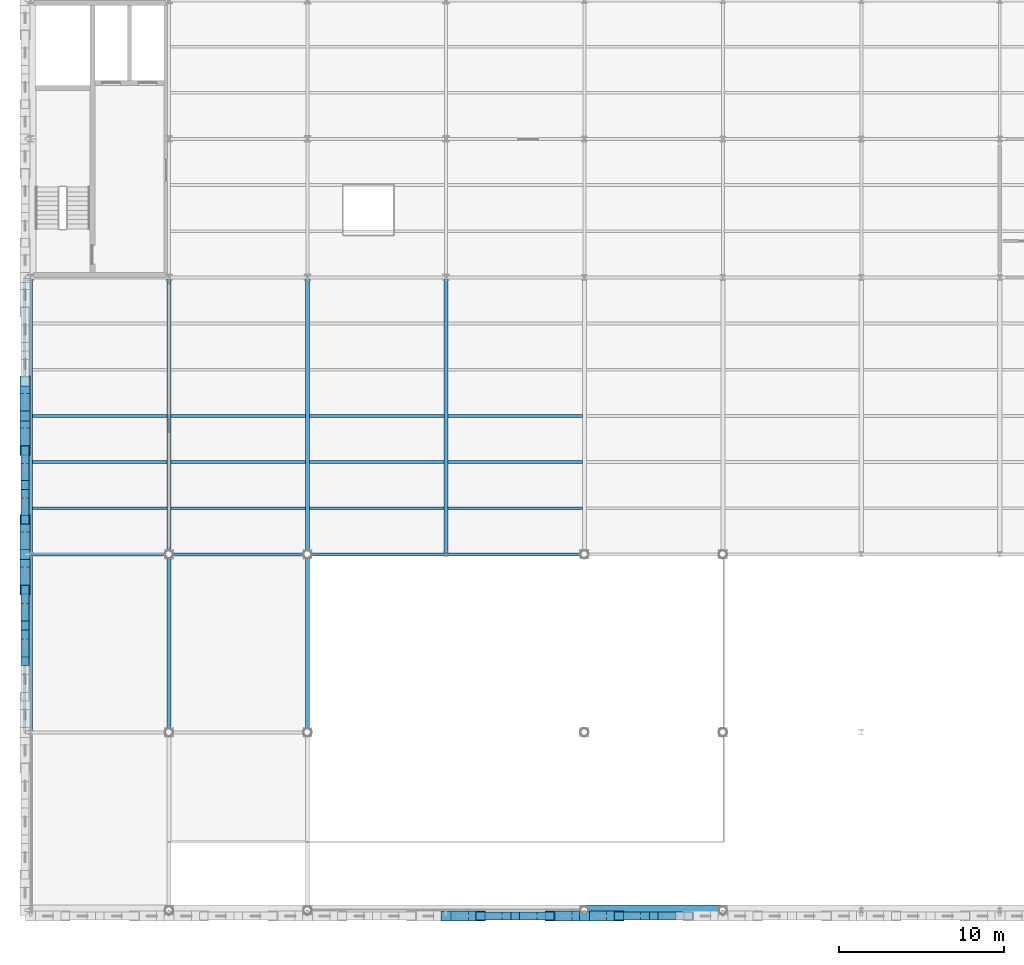
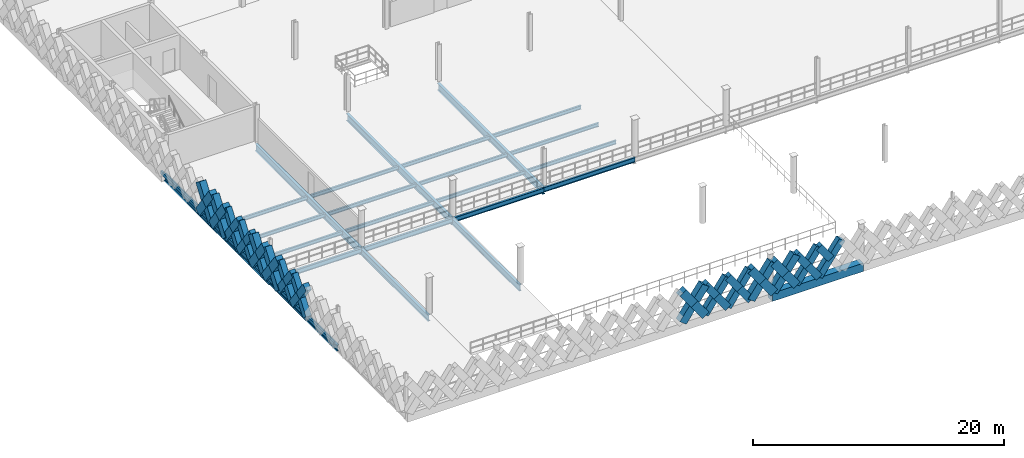
# One storey, part 14 of 47: 46 members, 24 beams.
"""IFC4 building model written with IfcOpenShell, lengths in metres."""

from ifc_helpers import new_model, si_unit, direction, frame, origin, origin_2d, place, context, subcontext, project, spatial, rectangle, hollow_rectangle, i_section, extrude, material, material_profile, profile_set, type_object, element, save


model = new_model("IFC4")

# Units and contexts
model_context = context("Model", 3, precision=1e-05, world=origin(), true_north=direction((0.0, 1.0)))
body_context = subcontext(model_context, "Body", "Model", "MODEL_VIEW")
ifc_project = project(units=[si_unit("LENGTHUNIT", "METRE"), si_unit("AREAUNIT", "SQUARE_METRE"), si_unit("VOLUMEUNIT", "CUBIC_METRE"), si_unit("PLANEANGLEUNIT", "RADIAN"), si_unit("MASSUNIT", "GRAM", prefix="KILO"), si_unit("THERMODYNAMICTEMPERATUREUNIT", "KELVIN"), si_unit("POWERUNIT", "WATT")], contexts=[model_context])

# Site, building, storey
site_placement = place(None, origin())
site = spatial("IfcSite", under=ifc_project, at=site_placement, CompositionType="ELEMENT")
building_placement = place(site_placement, origin())
building = spatial("IfcBuilding", under=site, at=building_placement, Name="Tembeka Court Mobility Hub", CompositionType="ELEMENT")
storey_placement = place(building_placement, frame((0.0, 0.0, 19.800048828125)))
storey = spatial("IfcBuildingStorey", under=building, at=storey_placement, Name="L05", CompositionType="ELEMENT", Elevation=19.800048828125)

# Beams
ifc_material_1 = material(Name="Steel S355", Category="steel")
ifc_material_profile_1 = material_profile(ifc_material_1, i_section(OverallWidth=0.18994140625, OverallDepth=0.45703125, WebThickness=0.009033203125, FlangeThickness=0.014404296875, FilletRadius=0.01025390625, at=origin_2d()), Name="UKB 457x191x74")
ifc_profile_set_1 = profile_set([ifc_material_profile_1], Name="Steel S355")
beam_type_1 = type_object("IfcBeamType", Name="BM-B01", PredefinedType="BEAM", material=ifc_profile_set_1)
beam_1_placement = place(storey_placement, frame((0.0, 21.60009765625, -0.478515625), z_axis=(1.0, 0.0, 0.0), x_axis=(0.0, 1.0, 0.0)))
element("IfcBeam", 1, at=beam_1_placement, inside=storey, type_object=beam_type_1, Name="Beam B01 (BM-L05-X2677)", PredefinedType="BEAM", context=body_context, shape_type="SweptSolid", body=[
    extrude(i_section(OverallWidth=0.18994140625, OverallDepth=0.45703125, WebThickness=0.009033203125, FlangeThickness=0.014404296875, FilletRadius=0.01025390625, at=origin_2d()), origin(), (0.0, 0.0, 1.0), 8.39990234375),
])
beam_2_placement = place(storey_placement, frame((8.39990234375, 21.60009765625, -0.478515625), z_axis=(1.0, 0.0, 0.0), x_axis=(0.0, 1.0, 0.0)))
element("IfcBeam", 2, at=beam_2_placement, inside=storey, type_object=beam_type_1, Name="Beam B01 (BM-L05-X2678)", PredefinedType="BEAM", context=body_context, shape_type="SweptSolid", body=[
    extrude(i_section(OverallWidth=0.18994140625, OverallDepth=0.45703125, WebThickness=0.009033203125, FlangeThickness=0.014404296875, FilletRadius=0.01025390625, at=origin_2d()), origin(), (0.0, 0.0, 1.0), 8.400146484375),
])
beam_3_placement = place(storey_placement, frame((16.800048828125, 21.60009765625, -0.478515625), z_axis=(1.0, 0.0, 0.0), x_axis=(0.0, 1.0, 0.0)))
element("IfcBeam", 3, at=beam_3_placement, inside=storey, type_object=beam_type_1, Name="Beam B01 (BM-L05-X2679)", PredefinedType="BEAM", context=body_context, shape_type="SweptSolid", body=[
    extrude(i_section(OverallWidth=0.18994140625, OverallDepth=0.45703125, WebThickness=0.009033203125, FlangeThickness=0.014404296875, FilletRadius=0.01025390625, at=origin_2d()), origin(), (0.0, 0.0, 1.0), 8.39990234375),
])
beam_4_placement = place(storey_placement, frame((25.199951171875, 21.60009765625, -0.448486328125), z_axis=(1.0, 0.0, 0.0), x_axis=(0.0, 1.0, 0.0)))
element("IfcBeam", 4, at=beam_4_placement, inside=storey, type_object=beam_type_1, Name="Beam B01 (BM-L05-X2680)", PredefinedType="BEAM", context=body_context, shape_type="SweptSolid", body=[
    extrude(i_section(OverallWidth=0.18994140625, OverallDepth=0.45703125, WebThickness=0.009033203125, FlangeThickness=0.014404296875, FilletRadius=0.01025390625, at=origin_2d()), origin(), (0.0, 0.0, 1.0), 8.400146484375),
])
ifc_material_profile_2 = material_profile(ifc_material_1, i_section(OverallWidth=0.25390625, OverallDepth=0.68408203125, WebThickness=0.012451171875, FlangeThickness=0.01904296875, FilletRadius=0.01513671875, at=origin_2d()), Name="UKB 686x254x140")
ifc_profile_set_2 = profile_set([ifc_material_profile_2], Name="Steel S355")
beam_type_2 = type_object("IfcBeamType", Name="BM-G01", PredefinedType="USERDEFINED", material=ifc_profile_set_2)
for number, where, z_axis, x_axis, name in (
    (5, (0.0, 21.60009765625, -0.56201171875), (0.0, 1.0, 0.0), (-1.0, 0.0, 0.0), "Beam G01 (BM-L05-Y2778)"),
    (6, (8.39990234375, 21.60009765625, -0.592041015625), (0.0, 1.0, 0.0), (-1.0, 0.0, 0.0), "Beam G01 (BM-L05-Y2789)"),
    (7, (16.800048828125, 21.60009765625, -0.592041015625), (0.0, 1.0, 0.0), (-1.0, 0.0, 0.0), "Beam G01 (BM-L05-Y2800)"),
    (8, (25.199951171875, 21.60009765625, -0.56201171875), (0.0, 1.0, 0.0), (-1.0, 0.0, 0.0), "Beam G01 (BM-L05-Y2809)"),
):
    element("IfcBeam", number, at=place(storey_placement, frame(where, z_axis=z_axis, x_axis=x_axis)), inside=storey, type_object=beam_type_2, Name=name, ObjectType="GIRDER", PredefinedType="USERDEFINED", context=body_context, shape_type="SweptSolid", body=[
        extrude(i_section(OverallWidth=0.25390625, OverallDepth=0.68408203125, WebThickness=0.012451171875, FlangeThickness=0.01904296875, FilletRadius=0.01513671875, at=origin_2d()), origin(), (0.0, 0.0, 1.0), 16.7998046875),
    ])
ifc_material_profile_3 = material_profile(ifc_material_1, i_section(OverallWidth=0.22900390625, OverallDepth=0.612060546875, WebThickness=0.011962890625, FlangeThickness=0.01953125, FilletRadius=0.0126953125, at=origin_2d()), Name="UKB 610x229x125")
ifc_profile_set_3 = profile_set([ifc_material_profile_3], Name="Steel S355")
beam_type_3 = type_object("IfcBeamType", Name="BM-G02", PredefinedType="USERDEFINED", material=ifc_profile_set_3)
for number, where, z_axis, x_axis, name in (
    (9, (0.0, 10.800048828125, -0.526123046875), (0.0, 1.0, 0.0), (-1.0, 0.0, 0.0), "Beam G02 (BM-L05-Y2777)"),
    (10, (8.39990234375, 10.800048828125, -0.55615234375), (0.0, 1.0, 0.0), (-1.0, 0.0, 0.0), "Beam G02 (BM-L05-Y2788)"),
    (11, (16.800048828125, 10.800048828125, -0.55615234375), (0.0, 1.0, 0.0), (-1.0, 0.0, 0.0), "Beam G02 (BM-L05-Y2799)"),
):
    element("IfcBeam", number, at=place(storey_placement, frame(where, z_axis=z_axis, x_axis=x_axis)), inside=storey, type_object=beam_type_3, Name=name, ObjectType="GIRDER", PredefinedType="USERDEFINED", context=body_context, shape_type="SweptSolid", body=[
        extrude(i_section(OverallWidth=0.22900390625, OverallDepth=0.612060546875, WebThickness=0.011962890625, FlangeThickness=0.01953125, FilletRadius=0.0126953125, at=origin_2d()), origin(), (0.0, 0.0, 1.0), 10.800048828125),
    ])
ifc_material_profile_4 = material_profile(ifc_material_1, i_section(OverallWidth=0.172119140625, OverallDepth=0.35498046875, WebThickness=0.00732421875, FlangeThickness=0.011474609375, FilletRadius=0.01025390625, at=origin_2d()), Name="UKB 356x171x51")
ifc_profile_set_4 = profile_set([ifc_material_profile_4], Name="Steel S355")
beam_type_4 = type_object("IfcBeamType", Name="BM-J01", PredefinedType="JOIST", material=ifc_profile_set_4)
for number, where, z_axis, x_axis, name in (
    (12, (0.1220703125, 24.39990234375, -0.3974609375), (1.0, 0.0, 0.0), (0.0, 1.0, 0.0), "Beam J01 (JST-L05-2881)"),
    (13, (0.1220703125, 27.199951171875, -0.3974609375), (1.0, 0.0, 0.0), (0.0, 1.0, 0.0), "Beam J01 (JST-L05-2882)"),
    (14, (0.1220703125, 30.0, -0.3974609375), (1.0, 0.0, 0.0), (0.0, 1.0, 0.0), "Beam J01 (JST-L05-2883)"),
    (15, (8.52197265625, 24.39990234375, -0.3974609375), (1.0, 0.0, 0.0), (0.0, 1.0, 0.0), "Beam J01 (JST-L05-2893)"),
    (16, (8.52197265625, 27.199951171875, -0.3974609375), (1.0, 0.0, 0.0), (0.0, 1.0, 0.0), "Beam J01 (JST-L05-2894)"),
    (17, (8.52197265625, 30.0, -0.3974609375), (1.0, 0.0, 0.0), (0.0, 1.0, 0.0), "Beam J01 (JST-L05-2895)"),
):
    element("IfcBeam", number, at=place(storey_placement, frame(where, z_axis=z_axis, x_axis=x_axis)), inside=storey, type_object=beam_type_4, Name=name, PredefinedType="JOIST", context=body_context, shape_type="SweptSolid", body=[
        extrude(i_section(OverallWidth=0.172119140625, OverallDepth=0.35498046875, WebThickness=0.00732421875, FlangeThickness=0.011474609375, FilletRadius=0.01025390625, at=origin_2d()), origin(), (0.0, 0.0, 1.0), 8.156005859375),
    ])
for number, where, z_axis, x_axis, name in (
    (18, (16.922119140625, 24.39990234375, -0.3974609375), (1.0, 0.0, 0.0), (0.0, 1.0, 0.0), "Beam J01 (JST-L05-2913)"),
    (19, (16.922119140625, 27.199951171875, -0.3974609375), (1.0, 0.0, 0.0), (0.0, 1.0, 0.0), "Beam J01 (JST-L05-2914)"),
    (20, (16.922119140625, 30.0, -0.3974609375), (1.0, 0.0, 0.0), (0.0, 1.0, 0.0), "Beam J01 (JST-L05-2915)"),
):
    element("IfcBeam", number, at=place(storey_placement, frame(where, z_axis=z_axis, x_axis=x_axis)), inside=storey, type_object=beam_type_4, Name=name, PredefinedType="JOIST", context=body_context, shape_type="SweptSolid", body=[
        extrude(i_section(OverallWidth=0.172119140625, OverallDepth=0.35498046875, WebThickness=0.00732421875, FlangeThickness=0.011474609375, FilletRadius=0.01025390625, at=origin_2d()), origin(), (0.0, 0.0, 1.0), 8.15576171875),
    ])
for number, where, z_axis, x_axis, name in (
    (21, (25.322021484375, 24.39990234375, -0.3974609375), (1.0, 0.0, 0.0), (0.0, 1.0, 0.0), "Beam J01 (JST-L05-2933)"),
    (22, (25.322021484375, 27.199951171875, -0.3974609375), (1.0, 0.0, 0.0), (0.0, 1.0, 0.0), "Beam J01 (JST-L05-2934)"),
    (23, (25.322021484375, 30.0, -0.3974609375), (1.0, 0.0, 0.0), (0.0, 1.0, 0.0), "Beam J01 (JST-L05-2935)"),
):
    element("IfcBeam", number, at=place(storey_placement, frame(where, z_axis=z_axis, x_axis=x_axis)), inside=storey, type_object=beam_type_4, Name=name, PredefinedType="JOIST", context=body_context, shape_type="SweptSolid", body=[
        extrude(i_section(OverallWidth=0.172119140625, OverallDepth=0.35498046875, WebThickness=0.00732421875, FlangeThickness=0.011474609375, FilletRadius=0.01025390625, at=origin_2d()), origin(), (0.0, 0.0, 1.0), 8.156005859375),
    ])
ifc_material_2 = material(Name="Precast concrete C45/55", Category="concrete")
ifc_material_profile_5 = material_profile(ifc_material_2, rectangle(XDim=0.64990234375, YDim=0.800048828125, at=origin_2d()), Name="PC-SP 650x800")
ifc_profile_set_5 = profile_set([ifc_material_profile_5], Name="Precast concrete C45/55")
beam_type_5 = type_object("IfcBeamType", Name="BM-SP01", PredefinedType="SPANDREL", material=ifc_profile_set_5)
beam_5_placement = place(storey_placement, frame((33.60009765625, 0.0, -0.6201171875), z_axis=(1.0, 0.0, 0.0), x_axis=(0.0, 1.0, 0.0)))
element("IfcBeam", 24, at=beam_5_placement, inside=storey, type_object=beam_type_5, Name="Beam SP01 (BM-L05-X2662)", PredefinedType="SPANDREL", context=body_context, shape_type="SweptSolid", body=[
    extrude(rectangle(XDim=0.64990234375, YDim=0.800048828125, at=origin_2d()), origin(), (0.0, 0.0, 1.0), 8.39990234375),
])

# Members
ifc_material_profile_6 = material_profile(ifc_material_2, rectangle(XDim=0.5, YDim=0.64990234375, at=origin_2d()), Name="PC-DIAG 500x650")
ifc_profile_set_6 = profile_set([ifc_material_profile_6], Name="Precast concrete C45/55")
member_type_1 = type_object("IfcMemberType", Name="MEM-DL01", PredefinedType="BRACE", material=ifc_profile_set_6)
member_1_placement = place(storey_placement, frame((27.300048828125, -0.340087890625, 0.02001953125), z_axis=(0.58253161945, 0.0, 0.812808041509), x_axis=(0.0, 1.0, 0.0)))
element("IfcMember", 25, at=member_1_placement, inside=storey, type_object=member_type_1, Name="Precast diamond lattice continuous strand DL01 (L05-802A)", PredefinedType="BRACE", context=body_context, shape_type="SweptSolid", body=[
    extrude(rectangle(XDim=0.5, YDim=0.64990234375, at=origin_2d()), origin(), (0.0, 0.0, 1.0), 3.604736328125),
])
member_2_placement = place(storey_placement, frame((29.39990234375, -0.340087890625, 0.02001953125), z_axis=(-0.582518941428, 0.0, 0.812817127574), x_axis=(0.0, -1.0, 0.0)))
element("IfcMember", 26, at=member_2_placement, inside=storey, type_object=member_type_1, Name="Precast diamond lattice split lower strand DL01 (L05-802B1)", PredefinedType="BRACE", context=body_context, shape_type="SweptSolid", body=[
    extrude(rectangle(XDim=0.5, YDim=0.64990234375, at=origin_2d()), origin(), (0.0, 0.0, 1.0), 1.80224609375),
])
member_3_placement = place(storey_placement, frame((28.35009765625, -0.340087890625, 1.48486328125), z_axis=(-0.582544294934, 0.0, 0.812798956963), x_axis=(0.0, -1.0, 0.0)))
element("IfcMember", 27, at=member_3_placement, inside=storey, type_object=member_type_1, Name="Precast diamond lattice split upper strand DL01 (L05-802B2)", PredefinedType="BRACE", context=body_context, shape_type="SweptSolid", body=[
    extrude(rectangle(XDim=0.5, YDim=0.64990234375, at=origin_2d()), origin(), (0.0, 0.0, 1.0), 1.802490234375),
])
member_4_placement = place(storey_placement, frame((29.39990234375, -0.340087890625, 0.02001953125), z_axis=(0.582576362011, 0.0, 0.812775973086), x_axis=(0.0, 1.0, 0.0)))
element("IfcMember", 28, at=member_4_placement, inside=storey, type_object=member_type_1, Name="Precast diamond lattice continuous strand DL01 (L05-803A)", PredefinedType="BRACE", context=body_context, shape_type="SweptSolid", body=[
    extrude(rectangle(XDim=0.5, YDim=0.64990234375, at=origin_2d()), origin(), (0.0, 0.0, 1.0), 3.604736328125),
])
member_5_placement = place(storey_placement, frame((31.5, -0.340087890625, 0.02001953125), z_axis=(-0.582608431711, 0.0, 0.812752985414), x_axis=(0.0, -1.0, 0.0)))
element("IfcMember", 29, at=member_5_placement, inside=storey, type_object=member_type_1, Name="Precast diamond lattice split lower strand DL01 (L05-803B1)", PredefinedType="BRACE", context=body_context, shape_type="SweptSolid", body=[
    extrude(rectangle(XDim=0.5, YDim=0.64990234375, at=origin_2d()), origin(), (0.0, 0.0, 1.0), 1.80224609375),
])
member_6_placement = place(storey_placement, frame((30.449951171875, -0.340087890625, 1.48486328125), z_axis=(-0.582544294934, 0.0, 0.812798956963), x_axis=(0.0, -1.0, 0.0)))
element("IfcMember", 30, at=member_6_placement, inside=storey, type_object=member_type_1, Name="Precast diamond lattice split upper strand DL01 (L05-803B2)", PredefinedType="BRACE", context=body_context, shape_type="SweptSolid", body=[
    extrude(rectangle(XDim=0.5, YDim=0.64990234375, at=origin_2d()), origin(), (0.0, 0.0, 1.0), 1.802490234375),
])
member_7_placement = place(storey_placement, frame((35.699951171875, -0.340087890625, 0.02001953125), z_axis=(0.582576362011, 0.0, 0.812775973086), x_axis=(0.0, 1.0, 0.0)))
element("IfcMember", 31, at=member_7_placement, inside=storey, type_object=member_type_1, Name="Precast diamond lattice continuous strand DL01 (L05-806A)", PredefinedType="BRACE", context=body_context, shape_type="SweptSolid", body=[
    extrude(rectangle(XDim=0.5, YDim=0.64990234375, at=origin_2d()), origin(), (0.0, 0.0, 1.0), 3.604736328125),
])
member_8_placement = place(storey_placement, frame((37.800048828125, -0.340087890625, 0.02001953125), z_axis=(-0.582608431711, 0.0, 0.812752985414), x_axis=(0.0, -1.0, 0.0)))
element("IfcMember", 32, at=member_8_placement, inside=storey, type_object=member_type_1, Name="Precast diamond lattice split lower strand DL01 (L05-806B1)", PredefinedType="BRACE", context=body_context, shape_type="SweptSolid", body=[
    extrude(rectangle(XDim=0.5, YDim=0.64990234375, at=origin_2d()), origin(), (0.0, 0.0, 1.0), 1.80224609375),
])
member_9_placement = place(storey_placement, frame((36.75, -0.340087890625, 1.48486328125), z_axis=(-0.582544294934, 0.0, 0.812798956963), x_axis=(0.0, -1.0, 0.0)))
element("IfcMember", 33, at=member_9_placement, inside=storey, type_object=member_type_1, Name="Precast diamond lattice split upper strand DL01 (L05-806B2)", PredefinedType="BRACE", context=body_context, shape_type="SweptSolid", body=[
    extrude(rectangle(XDim=0.5, YDim=0.64990234375, at=origin_2d()), origin(), (0.0, 0.0, 1.0), 1.802490234375),
])
member_10_placement = place(storey_placement, frame((37.800048828125, -0.340087890625, 0.02001953125), z_axis=(0.58253161945, 0.0, 0.812808041509), x_axis=(0.0, 1.0, 0.0)))
element("IfcMember", 34, at=member_10_placement, inside=storey, type_object=member_type_1, Name="Precast diamond lattice continuous strand DL01 (L05-807A)", PredefinedType="BRACE", context=body_context, shape_type="SweptSolid", body=[
    extrude(rectangle(XDim=0.5, YDim=0.64990234375, at=origin_2d()), origin(), (0.0, 0.0, 1.0), 3.604736328125),
])
member_11_placement = place(storey_placement, frame((38.85009765625, -0.340087890625, 1.48486328125), z_axis=(-0.582544294934, 0.0, 0.812798956963), x_axis=(0.0, -1.0, 0.0)))
element("IfcMember", 35, at=member_11_placement, inside=storey, type_object=member_type_1, Name="Precast diamond lattice split upper strand DL01 (L05-807B2)", PredefinedType="BRACE", context=body_context, shape_type="SweptSolid", body=[
    extrude(rectangle(XDim=0.5, YDim=0.64990234375, at=origin_2d()), origin(), (0.0, 0.0, 1.0), 1.802490234375),
])
member_12_placement = place(storey_placement, frame((-0.340087890625, 15.1201171875, 0.02001953125), z_axis=(0.0, 0.593379766398, 0.804922637792), x_axis=(-1.0, 0.0, 0.0)))
element("IfcMember", 36, at=member_12_placement, inside=storey, type_object=member_type_1, Name="Precast diamond lattice continuous strand DL01 (L05-884C)", PredefinedType="BRACE", context=body_context, shape_type="SweptSolid", body=[
    extrude(rectangle(XDim=0.5, YDim=0.64990234375, at=origin_2d()), origin(), (0.0, 0.0, 1.0), 3.64013671875),
])
for number, where, z_axis, x_axis, name in (
    (37, (-0.340087890625, 17.280029296875, 0.02001953125), (0.0, -0.593455255298, 0.804866982773), (1.0, 0.0, 0.0), "Precast diamond lattice split lower strand DL01 (L05-884D1)"),
    (38, (-0.340087890625, 16.199951171875, 1.48486328125), (0.0, -0.593304274421, 0.804978284151), (1.0, 0.0, 0.0), "Precast diamond lattice split upper strand DL01 (L05-884D2)"),
):
    element("IfcMember", number, at=place(storey_placement, frame(where, z_axis=z_axis, x_axis=x_axis)), inside=storey, type_object=member_type_1, Name=name, PredefinedType="BRACE", context=body_context, shape_type="SweptSolid", body=[
        extrude(rectangle(XDim=0.5, YDim=0.64990234375, at=origin_2d()), origin(), (0.0, 0.0, 1.0), 1.820068359375),
    ])
member_13_placement = place(storey_placement, frame((-0.340087890625, 17.280029296875, 0.02001953125), z_axis=(0.0, 0.593379766398, 0.804922637792), x_axis=(-1.0, 0.0, 0.0)))
element("IfcMember", 39, at=member_13_placement, inside=storey, type_object=member_type_1, Name="Precast diamond lattice continuous strand DL01 (L05-885C)", PredefinedType="BRACE", context=body_context, shape_type="SweptSolid", body=[
    extrude(rectangle(XDim=0.5, YDim=0.64990234375, at=origin_2d()), origin(), (0.0, 0.0, 1.0), 3.64013671875),
])
member_14_placement = place(storey_placement, frame((-0.340087890625, 19.43994140625, 0.02001953125), z_axis=(0.0, -0.593368344659, 0.804931057642), x_axis=(1.0, 0.0, 0.0)))
element("IfcMember", 40, at=member_14_placement, inside=storey, type_object=member_type_1, Name="Precast diamond lattice split lower strand DL01 (L05-885D1)", PredefinedType="BRACE", context=body_context, shape_type="SweptSolid", body=[
    extrude(rectangle(XDim=0.5, YDim=0.64990234375, at=origin_2d()), origin(), (0.0, 0.0, 1.0), 1.81982421875),
])
member_15_placement = place(storey_placement, frame((-0.340087890625, 18.360107421875, 1.48486328125), z_axis=(0.0, -0.593391185876, 0.804914219358), x_axis=(1.0, 0.0, 0.0)))
element("IfcMember", 41, at=member_15_placement, inside=storey, type_object=member_type_1, Name="Precast diamond lattice split upper strand DL01 (L05-885D2)", PredefinedType="BRACE", context=body_context, shape_type="SweptSolid", body=[
    extrude(rectangle(XDim=0.5, YDim=0.64990234375, at=origin_2d()), origin(), (0.0, 0.0, 1.0), 1.820068359375),
])
member_16_placement = place(storey_placement, frame((-0.340087890625, 23.699951171875, 0.02001953125), z_axis=(0.0, 0.582576362011, 0.812775973086), x_axis=(-1.0, 0.0, 0.0)))
element("IfcMember", 42, at=member_16_placement, inside=storey, type_object=member_type_1, Name="Precast diamond lattice continuous strand DL01 (L05-888C)", PredefinedType="BRACE", context=body_context, shape_type="SweptSolid", body=[
    extrude(rectangle(XDim=0.5, YDim=0.64990234375, at=origin_2d()), origin(), (0.0, 0.0, 1.0), 3.604736328125),
])
member_17_placement = place(storey_placement, frame((-0.340087890625, 25.800048828125, 0.02001953125), z_axis=(0.0, -0.582608431711, 0.812752985414), x_axis=(1.0, 0.0, 0.0)))
element("IfcMember", 43, at=member_17_placement, inside=storey, type_object=member_type_1, Name="Precast diamond lattice split lower strand DL01 (L05-888D1)", PredefinedType="BRACE", context=body_context, shape_type="SweptSolid", body=[
    extrude(rectangle(XDim=0.5, YDim=0.64990234375, at=origin_2d()), origin(), (0.0, 0.0, 1.0), 1.80224609375),
])
member_18_placement = place(storey_placement, frame((-0.340087890625, 24.75, 1.48486328125), z_axis=(0.0, -0.582544294934, 0.812798956963), x_axis=(1.0, 0.0, 0.0)))
element("IfcMember", 44, at=member_18_placement, inside=storey, type_object=member_type_1, Name="Precast diamond lattice split upper strand DL01 (L05-888D2)", PredefinedType="BRACE", context=body_context, shape_type="SweptSolid", body=[
    extrude(rectangle(XDim=0.5, YDim=0.64990234375, at=origin_2d()), origin(), (0.0, 0.0, 1.0), 1.802490234375),
])
member_19_placement = place(storey_placement, frame((-0.340087890625, 25.800048828125, 0.02001953125), z_axis=(0.0, 0.58253161945, 0.812808041509), x_axis=(-1.0, 0.0, 0.0)))
element("IfcMember", 45, at=member_19_placement, inside=storey, type_object=member_type_1, Name="Precast diamond lattice continuous strand DL01 (L05-889C)", PredefinedType="BRACE", context=body_context, shape_type="SweptSolid", body=[
    extrude(rectangle(XDim=0.5, YDim=0.64990234375, at=origin_2d()), origin(), (0.0, 0.0, 1.0), 3.604736328125),
])
member_20_placement = place(storey_placement, frame((-0.340087890625, 27.89990234375, 0.02001953125), z_axis=(0.0, -0.582518941428, 0.812817127574), x_axis=(1.0, 0.0, 0.0)))
element("IfcMember", 46, at=member_20_placement, inside=storey, type_object=member_type_1, Name="Precast diamond lattice split lower strand DL01 (L05-889D1)", PredefinedType="BRACE", context=body_context, shape_type="SweptSolid", body=[
    extrude(rectangle(XDim=0.5, YDim=0.64990234375, at=origin_2d()), origin(), (0.0, 0.0, 1.0), 1.80224609375),
])
member_21_placement = place(storey_placement, frame((-0.340087890625, 26.85009765625, 1.48486328125), z_axis=(0.0, -0.582544294934, 0.812798956963), x_axis=(1.0, 0.0, 0.0)))
element("IfcMember", 47, at=member_21_placement, inside=storey, type_object=member_type_1, Name="Precast diamond lattice split upper strand DL01 (L05-889D2)", PredefinedType="BRACE", context=body_context, shape_type="SweptSolid", body=[
    extrude(rectangle(XDim=0.5, YDim=0.64990234375, at=origin_2d()), origin(), (0.0, 0.0, 1.0), 1.802490234375),
])
ifc_material_profile_7 = material_profile(ifc_material_2, rectangle(XDim=0.60009765625, YDim=0.75, at=origin_2d()), Name="PC-DIAG 600x750")
ifc_profile_set_7 = profile_set([ifc_material_profile_7], Name="Precast concrete C45/55")
member_type_2 = type_object("IfcMemberType", Name="MEM-DL02", PredefinedType="BRACE", material=ifc_profile_set_7)
member_22_placement = place(storey_placement, frame((25.199951171875, -0.340087890625, 0.02001953125), z_axis=(0.582576362011, 0.0, 0.812775973086), x_axis=(0.0, 1.0, 0.0)))
element("IfcMember", 48, at=member_22_placement, inside=storey, type_object=member_type_2, Name="Precast diamond lattice continuous strand DL02 (L05-801A)", PredefinedType="BRACE", context=body_context, shape_type="SweptSolid", body=[
    extrude(rectangle(XDim=0.60009765625, YDim=0.75, at=origin_2d()), origin(), (0.0, 0.0, 1.0), 3.604736328125),
])
member_23_placement = place(storey_placement, frame((27.300048828125, -0.340087890625, 0.02001953125), z_axis=(-0.582608431711, 0.0, 0.812752985414), x_axis=(0.0, -1.0, 0.0)))
element("IfcMember", 49, at=member_23_placement, inside=storey, type_object=member_type_2, Name="Precast diamond lattice split lower strand DL02 (L05-801B1)", PredefinedType="BRACE", context=body_context, shape_type="SweptSolid", body=[
    extrude(rectangle(XDim=0.60009765625, YDim=0.75, at=origin_2d()), origin(), (0.0, 0.0, 1.0), 1.80224609375),
])
member_24_placement = place(storey_placement, frame((26.25, -0.340087890625, 1.48486328125), z_axis=(-0.582544294934, 0.0, 0.812798956963), x_axis=(0.0, -1.0, 0.0)))
element("IfcMember", 50, at=member_24_placement, inside=storey, type_object=member_type_2, Name="Precast diamond lattice split upper strand DL02 (L05-801B2)", PredefinedType="BRACE", context=body_context, shape_type="SweptSolid", body=[
    extrude(rectangle(XDim=0.60009765625, YDim=0.75, at=origin_2d()), origin(), (0.0, 0.0, 1.0), 1.802490234375),
])
member_25_placement = place(storey_placement, frame((31.5, -0.340087890625, 0.02001953125), z_axis=(0.582576362011, 0.0, 0.812775973086), x_axis=(0.0, 1.0, 0.0)))
element("IfcMember", 51, at=member_25_placement, inside=storey, type_object=member_type_2, Name="Precast diamond lattice continuous strand DL02 (L05-804A)", PredefinedType="BRACE", context=body_context, shape_type="SweptSolid", body=[
    extrude(rectangle(XDim=0.60009765625, YDim=0.75, at=origin_2d()), origin(), (0.0, 0.0, 1.0), 3.604736328125),
])
member_26_placement = place(storey_placement, frame((33.60009765625, -0.340087890625, 0.02001953125), z_axis=(-0.582608431711, 0.0, 0.812752985414), x_axis=(0.0, -1.0, 0.0)))
element("IfcMember", 52, at=member_26_placement, inside=storey, type_object=member_type_2, Name="Precast diamond lattice split lower strand DL02 (L05-804B1)", PredefinedType="BRACE", context=body_context, shape_type="SweptSolid", body=[
    extrude(rectangle(XDim=0.60009765625, YDim=0.75, at=origin_2d()), origin(), (0.0, 0.0, 1.0), 1.80224609375),
])
member_27_placement = place(storey_placement, frame((32.550048828125, -0.340087890625, 1.48486328125), z_axis=(-0.582544294934, 0.0, 0.812798956963), x_axis=(0.0, -1.0, 0.0)))
element("IfcMember", 53, at=member_27_placement, inside=storey, type_object=member_type_2, Name="Precast diamond lattice split upper strand DL02 (L05-804B2)", PredefinedType="BRACE", context=body_context, shape_type="SweptSolid", body=[
    extrude(rectangle(XDim=0.60009765625, YDim=0.75, at=origin_2d()), origin(), (0.0, 0.0, 1.0), 1.802490234375),
])
member_28_placement = place(storey_placement, frame((33.60009765625, -0.340087890625, 0.02001953125), z_axis=(0.58253161945, 0.0, 0.812808041509), x_axis=(0.0, 1.0, 0.0)))
element("IfcMember", 54, at=member_28_placement, inside=storey, type_object=member_type_2, Name="Precast diamond lattice continuous strand DL02 (L05-805A)", PredefinedType="BRACE", context=body_context, shape_type="SweptSolid", body=[
    extrude(rectangle(XDim=0.60009765625, YDim=0.75, at=origin_2d()), origin(), (0.0, 0.0, 1.0), 3.604736328125),
])
member_29_placement = place(storey_placement, frame((35.699951171875, -0.340087890625, 0.02001953125), z_axis=(-0.582608431711, 0.0, 0.812752985414), x_axis=(0.0, -1.0, 0.0)))
element("IfcMember", 55, at=member_29_placement, inside=storey, type_object=member_type_2, Name="Precast diamond lattice split lower strand DL02 (L05-805B1)", PredefinedType="BRACE", context=body_context, shape_type="SweptSolid", body=[
    extrude(rectangle(XDim=0.60009765625, YDim=0.75, at=origin_2d()), origin(), (0.0, 0.0, 1.0), 1.80224609375),
])
member_30_placement = place(storey_placement, frame((34.64990234375, -0.340087890625, 1.48486328125), z_axis=(-0.582454804382, 0.0, 0.812863088627), x_axis=(0.0, -1.0, 0.0)))
element("IfcMember", 56, at=member_30_placement, inside=storey, type_object=member_type_2, Name="Precast diamond lattice split upper strand DL02 (L05-805B2)", PredefinedType="BRACE", context=body_context, shape_type="SweptSolid", body=[
    extrude(rectangle(XDim=0.60009765625, YDim=0.75, at=origin_2d()), origin(), (0.0, 0.0, 1.0), 1.802490234375),
])
member_31_placement = place(storey_placement, frame((-0.340087890625, 19.43994140625, 0.02001953125), z_axis=(0.0, 0.593423219328, 0.804890602978), x_axis=(-1.0, 0.0, 0.0)))
element("IfcMember", 57, at=member_31_placement, inside=storey, type_object=member_type_2, Name="Precast diamond lattice continuous strand DL02 (L05-886C)", PredefinedType="BRACE", context=body_context, shape_type="SweptSolid", body=[
    extrude(rectangle(XDim=0.60009765625, YDim=0.75, at=origin_2d()), origin(), (0.0, 0.0, 1.0), 3.64013671875),
])
for number, where, z_axis, x_axis, name in (
    (58, (-0.340087890625, 21.60009765625, 0.02001953125), (0.0, -0.593455255298, 0.804866982773), (1.0, 0.0, 0.0), "Precast diamond lattice split lower strand DL02 (L05-886D1)"),
    (59, (-0.340087890625, 20.52001953125, 1.48486328125), (0.0, -0.593391185876, 0.804914219358), (1.0, 0.0, 0.0), "Precast diamond lattice split upper strand DL02 (L05-886D2)"),
):
    element("IfcMember", number, at=place(storey_placement, frame(where, z_axis=z_axis, x_axis=x_axis)), inside=storey, type_object=member_type_2, Name=name, PredefinedType="BRACE", context=body_context, shape_type="SweptSolid", body=[
        extrude(rectangle(XDim=0.60009765625, YDim=0.75, at=origin_2d()), origin(), (0.0, 0.0, 1.0), 1.820068359375),
    ])
member_32_placement = place(storey_placement, frame((-0.340087890625, 21.60009765625, 0.02001953125), z_axis=(0.0, 0.58253161945, 0.812808041509), x_axis=(-1.0, 0.0, 0.0)))
element("IfcMember", 60, at=member_32_placement, inside=storey, type_object=member_type_2, Name="Precast diamond lattice continuous strand DL02 (L05-887C)", PredefinedType="BRACE", context=body_context, shape_type="SweptSolid", body=[
    extrude(rectangle(XDim=0.60009765625, YDim=0.75, at=origin_2d()), origin(), (0.0, 0.0, 1.0), 3.604736328125),
])
member_33_placement = place(storey_placement, frame((-0.340087890625, 23.699951171875, 0.02001953125), z_axis=(0.0, -0.582608431711, 0.812752985414), x_axis=(1.0, 0.0, 0.0)))
element("IfcMember", 61, at=member_33_placement, inside=storey, type_object=member_type_2, Name="Precast diamond lattice split lower strand DL02 (L05-887D1)", PredefinedType="BRACE", context=body_context, shape_type="SweptSolid", body=[
    extrude(rectangle(XDim=0.60009765625, YDim=0.75, at=origin_2d()), origin(), (0.0, 0.0, 1.0), 1.80224609375),
])
member_34_placement = place(storey_placement, frame((-0.340087890625, 22.64990234375, 1.48486328125), z_axis=(0.0, -0.582454804382, 0.812863088627), x_axis=(1.0, 0.0, 0.0)))
element("IfcMember", 62, at=member_34_placement, inside=storey, type_object=member_type_2, Name="Precast diamond lattice split upper strand DL02 (L05-887D2)", PredefinedType="BRACE", context=body_context, shape_type="SweptSolid", body=[
    extrude(rectangle(XDim=0.60009765625, YDim=0.75, at=origin_2d()), origin(), (0.0, 0.0, 1.0), 1.802490234375),
])
member_35_placement = place(storey_placement, frame((-0.340087890625, 27.89990234375, 0.02001953125), z_axis=(0.0, 0.582576362011, 0.812775973086), x_axis=(-1.0, 0.0, 0.0)))
element("IfcMember", 63, at=member_35_placement, inside=storey, type_object=member_type_2, Name="Precast diamond lattice continuous strand DL02 (L05-890C)", PredefinedType="BRACE", context=body_context, shape_type="SweptSolid", body=[
    extrude(rectangle(XDim=0.60009765625, YDim=0.75, at=origin_2d()), origin(), (0.0, 0.0, 1.0), 3.604736328125),
])
member_36_placement = place(storey_placement, frame((-0.340087890625, 30.0, 0.02001953125), z_axis=(0.0, -0.582608431711, 0.812752985414), x_axis=(1.0, 0.0, 0.0)))
element("IfcMember", 64, at=member_36_placement, inside=storey, type_object=member_type_2, Name="Precast diamond lattice split lower strand DL02 (L05-890D1)", PredefinedType="BRACE", context=body_context, shape_type="SweptSolid", body=[
    extrude(rectangle(XDim=0.60009765625, YDim=0.75, at=origin_2d()), origin(), (0.0, 0.0, 1.0), 1.80224609375),
])
member_37_placement = place(storey_placement, frame((-0.340087890625, 28.949951171875, 1.48486328125), z_axis=(0.0, -0.582544294934, 0.812798956963), x_axis=(1.0, 0.0, 0.0)))
element("IfcMember", 65, at=member_37_placement, inside=storey, type_object=member_type_2, Name="Precast diamond lattice split upper strand DL02 (L05-890D2)", PredefinedType="BRACE", context=body_context, shape_type="SweptSolid", body=[
    extrude(rectangle(XDim=0.60009765625, YDim=0.75, at=origin_2d()), origin(), (0.0, 0.0, 1.0), 1.802490234375),
])
member_38_placement = place(storey_placement, frame((-0.340087890625, 30.0, 0.02001953125), z_axis=(0.0, 0.582576362011, 0.812775973086), x_axis=(-1.0, 0.0, 0.0)))
element("IfcMember", 66, at=member_38_placement, inside=storey, type_object=member_type_2, Name="Precast diamond lattice continuous strand DL02 (L05-891C)", PredefinedType="BRACE", context=body_context, shape_type="SweptSolid", body=[
    extrude(rectangle(XDim=0.60009765625, YDim=0.75, at=origin_2d()), origin(), (0.0, 0.0, 1.0), 3.604736328125),
])
member_39_placement = place(storey_placement, frame((-0.340087890625, 32.10009765625, 0.02001953125), z_axis=(0.0, -0.582608431711, 0.812752985414), x_axis=(1.0, 0.0, 0.0)))
element("IfcMember", 67, at=member_39_placement, inside=storey, type_object=member_type_2, Name="Precast diamond lattice split lower strand DL02 (L05-891D1)", PredefinedType="BRACE", context=body_context, shape_type="SweptSolid", body=[
    extrude(rectangle(XDim=0.60009765625, YDim=0.75, at=origin_2d()), origin(), (0.0, 0.0, 1.0), 1.80224609375),
])
member_40_placement = place(storey_placement, frame((-0.340087890625, 31.050048828125, 1.48486328125), z_axis=(0.0, -0.582544294934, 0.812798956963), x_axis=(1.0, 0.0, 0.0)))
element("IfcMember", 68, at=member_40_placement, inside=storey, type_object=member_type_2, Name="Precast diamond lattice split upper strand DL02 (L05-891D2)", PredefinedType="BRACE", context=body_context, shape_type="SweptSolid", body=[
    extrude(rectangle(XDim=0.60009765625, YDim=0.75, at=origin_2d()), origin(), (0.0, 0.0, 1.0), 1.802490234375),
])
ifc_material_profile_8 = material_profile(ifc_material_1, hollow_rectangle(XDim=0.14990234375, YDim=0.300048828125, WallThickness=0.010009765625, at=origin_2d()), Name="RHS 300x150x10")
ifc_profile_set_8 = profile_set([ifc_material_profile_8], Name="Steel S355")
member_type_3 = type_object("IfcMemberType", Name="MEM-ST03", PredefinedType="STRUT", material=ifc_profile_set_8)
member_41_placement = place(storey_placement, frame((-0.340087890625, 10.800048828125, 0.02001953125), z_axis=(0.0, 1.0, 0.0), x_axis=(-1.0, 0.0, 0.0)))
element("IfcMember", 69, at=member_41_placement, inside=storey, type_object=member_type_3, Name="Proud lattice sill tie chord SR03 (L05-W-10)", PredefinedType="STRUT", context=body_context, shape_type="SweptSolid", body=[
    extrude(hollow_rectangle(XDim=0.14990234375, YDim=0.300048828125, WallThickness=0.010009765625, at=origin_2d()), origin(), (0.0, 0.0, 1.0), 10.800048828125),
])
member_42_placement = place(storey_placement, frame((-0.340087890625, 21.60009765625, 0.02001953125), z_axis=(0.0, 1.0, 0.0), x_axis=(-1.0, 0.0, 0.0)))
element("IfcMember", 70, at=member_42_placement, inside=storey, type_object=member_type_3, Name="Proud lattice sill tie chord SR03 (L05-W-21)", PredefinedType="STRUT", context=body_context, shape_type="SweptSolid", body=[
    extrude(hollow_rectangle(XDim=0.14990234375, YDim=0.300048828125, WallThickness=0.010009765625, at=origin_2d()), origin(), (0.0, 0.0, 1.0), 16.7998046875),
])

save(model, "model.ifc")
